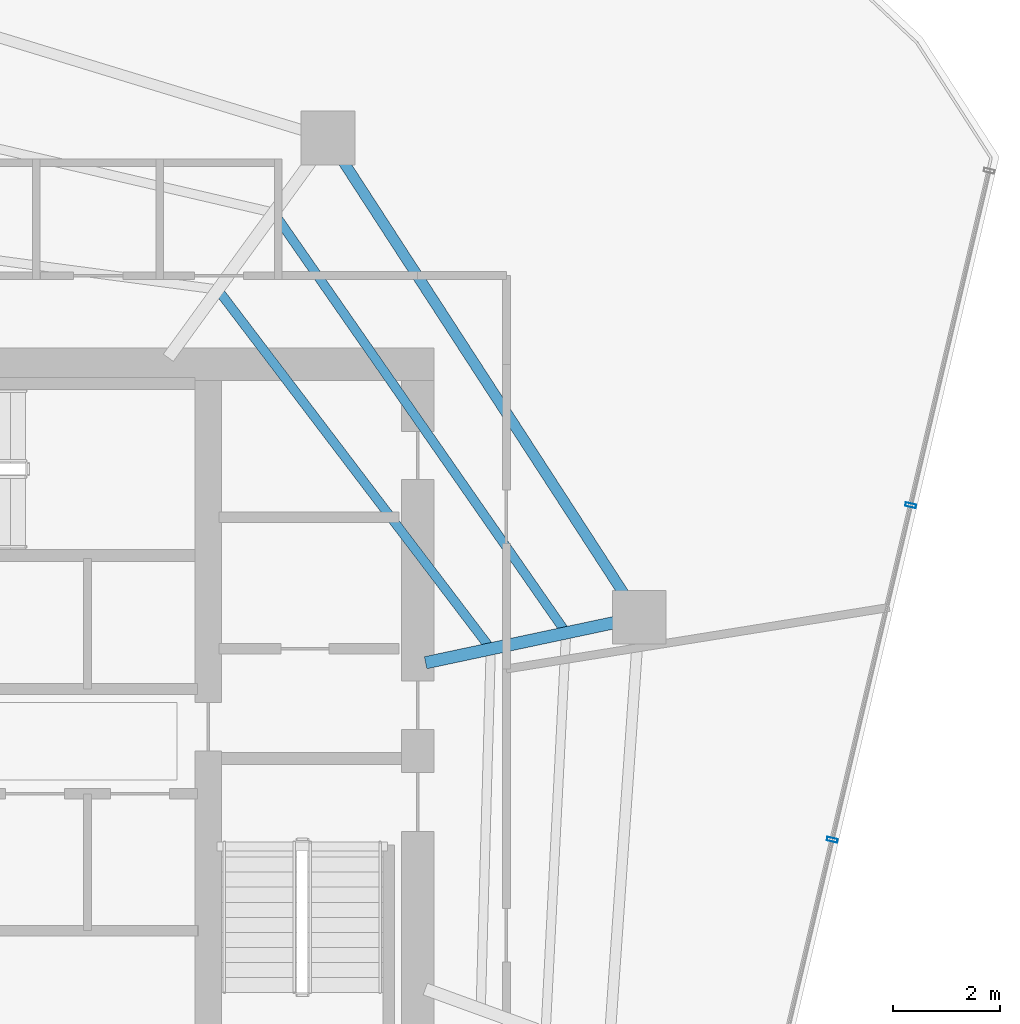
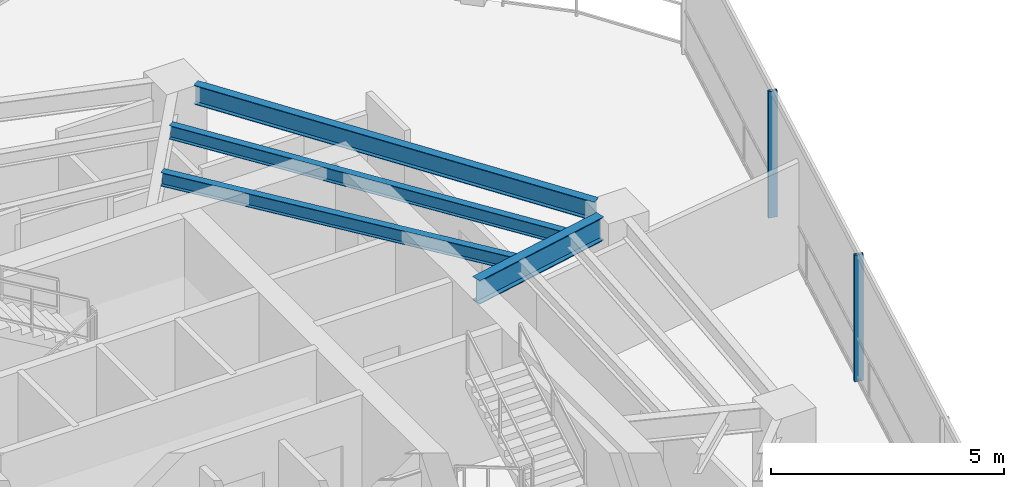
# One storey, part 10 of 19: 4 beams, 2 members, 1 element without a shape of its own.
"""IFC4 building model written with IfcOpenShell, lengths in metres."""

from ifc_helpers import new_model, si_unit, direction, frame, origin, origin_2d, place, context, subcontext, project, spatial, hollow_rectangle, i_section, extrude, material, layer, layer_set, material_profile, profile_set, type_object, element, aggregate, save


model = new_model("IFC4")

# Units and contexts
model_context = context("Model", 3, precision=1e-05, world=origin(), true_north=direction((0.0, 1.0)))
body_context = subcontext(model_context, "Body", "Model", "MODEL_VIEW")
ifc_project = project(units=[si_unit("LENGTHUNIT", "METRE"), si_unit("AREAUNIT", "SQUARE_METRE"), si_unit("VOLUMEUNIT", "CUBIC_METRE"), si_unit("PLANEANGLEUNIT", "RADIAN"), si_unit("MASSUNIT", "GRAM", prefix="KILO")], contexts=[model_context])

# Site, building, storey
site_placement = place(None, origin())
site = spatial("IfcSite", under=ifc_project, at=site_placement, CompositionType="ELEMENT")
building_placement = place(site_placement, origin())
building = spatial("IfcBuilding", under=site, at=building_placement, Name="Qarnah Convention Tower", CompositionType="ELEMENT")
storey_placement = place(building_placement, frame((0.0, 0.0, 129.300048828125)))
storey = spatial("IfcBuildingStorey", under=building, at=storey_placement, Name="L34", CompositionType="ELEMENT", Elevation=129.300048828125)

# Beams
ifc_material_1 = material(Name="Structural steel S355JR", Category="steel")
ifc_material_profile_1 = material_profile(ifc_material_1, i_section(OverallWidth=0.172119140625, OverallDepth=0.35595703125, WebThickness=0.007080078125, FlangeThickness=0.011962890625, at=origin_2d()), Name="W360X51")
ifc_profile_set_1 = profile_set([ifc_material_profile_1], Name="Structural steel S355JR")
beam_type_1 = type_object("IfcBeamType", Name="BM-JST-W360", PredefinedType="JOIST", material=ifc_profile_set_1)
beam_1_placement = place(storey_placement, frame((50.31298828125, 29.27197265625, 3.141845703125), z_axis=(-0.571244196533, 0.820780158098, 0.0), x_axis=(-0.820780158098, -0.571244196533, 0.0)))
element("IfcBeam", 1, at=beam_1_placement, inside=storey, type_object=beam_type_1, Name="L34 joist BM-L34-SJST-01", PredefinedType="JOIST", context=body_context, shape_type="SweptSolid", body=[
    extrude(i_section(OverallWidth=0.172119140625, OverallDepth=0.35595703125, WebThickness=0.007080078125, FlangeThickness=0.011962890625, at=origin_2d()), origin(), (0.0, 0.0, 1.0), 9.353271484375),
])
beam_2_placement = place(storey_placement, frame((48.906982421875, 28.970947265625, 3.141845703125), z_axis=(-0.605046386024, 0.796190222723, 0.0), x_axis=(-0.796190222723, -0.605046386024, 0.0)))
element("IfcBeam", 2, at=beam_2_placement, inside=storey, type_object=beam_type_1, Name="L34 joist BM-L34-IJST-01", PredefinedType="JOIST", context=body_context, shape_type="SweptSolid", body=[
    extrude(i_section(OverallWidth=0.172119140625, OverallDepth=0.35595703125, WebThickness=0.007080078125, FlangeThickness=0.011962890625, at=origin_2d()), origin(), (0.0, 0.0, 1.0), 8.224365234375),
])
ifc_material_profile_2 = material_profile(ifc_material_1, i_section(OverallWidth=0.22998046875, OverallDepth=0.617919921875, WebThickness=0.012939453125, FlangeThickness=0.02197265625, at=origin_2d()), Name="W610X140")
ifc_profile_set_2 = profile_set([ifc_material_profile_2], Name="Structural steel S355JR")
beam_type_2 = type_object("IfcBeamType", Name="BM-RAD-W610A", PredefinedType="BEAM", material=ifc_profile_set_2)
beam_3_placement = place(storey_placement, frame((47.7470703125, 28.64111328125, 3.010986328125), z_axis=(0.978133929389, 0.207975999045, 0.0), x_axis=(-0.207975999045, 0.978133929389, 0.0)))
element("IfcBeam", 3, at=beam_3_placement, inside=storey, type_object=beam_type_2, Name="L34 beam BM-L34-RAD-01", PredefinedType="BEAM", context=body_context, shape_type="SweptSolid", body=[
    extrude(i_section(OverallWidth=0.22998046875, OverallDepth=0.617919921875, WebThickness=0.012939453125, FlangeThickness=0.02197265625, at=origin_2d()), origin(), (0.0, 0.0, 1.0), 3.586181640625),
])
ifc_material_profile_3 = material_profile(ifc_material_1, i_section(OverallWidth=0.199951171875, OverallDepth=0.5, WebThickness=0.010009765625, FlangeThickness=0.01611328125, at=origin_2d()), Name="IPE500")
ifc_profile_set_3 = profile_set([ifc_material_profile_3], Name="Structural steel S355JR")
beam_type_3 = type_object("IfcBeamType", Name="BM-SPN-IPE500", PredefinedType="SPANDREL", material=ifc_profile_set_3)
beam_4_placement = place(storey_placement, frame((51.4580078125, 29.89794921875, 3.070068359375), z_axis=(-0.544531816504, 0.838740186717, 0.0), x_axis=(-0.838740186717, -0.544531816504, 0.0)))
element("IfcBeam", 4, at=beam_4_placement, inside=storey, type_object=beam_type_3, Name="L34 spandrel BM-L34-SPN-01", PredefinedType="SPANDREL", context=body_context, shape_type="SweptSolid", body=[
    extrude(i_section(OverallWidth=0.199951171875, OverallDepth=0.5, WebThickness=0.010009765625, FlangeThickness=0.01611328125, at=origin_2d()), origin(), (0.0, 0.0, 1.0), 9.663330078125),
])

# Curtain wall, members
ifc_material_2 = material(Name="Tempered Low-E dark glass", Category="glass")
ifc_layer = layer(ifc_material_2, 0.172119140625)
ifc_layer_set = layer_set([ifc_layer], Name="Tempered Low-E dark glass")
curtain_wall_type = type_object("IfcCurtainWallType", Name="CWS-03", PredefinedType="NOTDEFINED", material=ifc_layer_set)
curtain_wall_placement = place(storey_placement, origin())
curtain_wall = element("IfcCurtainWall", 5, at=curtain_wall_placement, inside=storey, type_object=curtain_wall_type, Name="L34 unitised curtain wall CW-L34-F3", PredefinedType="NOTDEFINED")
ifc_material_3 = material(Name="Black anodised aluminium", Category="aluminium")
ifc_material_profile_4 = material_profile(ifc_material_3, hollow_rectangle(XDim=0.070068359375, YDim=0.199951171875, WallThickness=0.0048828125, at=origin_2d()), Name="MUL-70X200")
ifc_profile_set_4 = profile_set([ifc_material_profile_4], Name="Black anodised aluminium")
member_type = type_object("IfcMemberType", Name="MUL-T3", PredefinedType="MULLION", material=ifc_profile_set_4)
member_1_placement = place(storey_placement, frame((56.781982421875, 31.57275390625, 0.0), z_axis=(0.0, 0.0, 1.0), x_axis=(-0.228344107227, -0.973580489069, 0.0)))
member_1 = element("IfcMember", 6, at=member_1_placement, type_object=member_type, Name="CW-L34-F3 mullion 2", PredefinedType="MULLION", context=body_context, shape_type="SweptSolid", body=[
    extrude(hollow_rectangle(XDim=0.070068359375, YDim=0.199951171875, WallThickness=0.0048828125, at=origin_2d()), origin(), (0.0, 0.0, 1.0), 3.320068359375),
])
member_2_placement = place(storey_placement, frame((55.321044921875, 25.343505859375, 0.0), z_axis=(0.0, 0.0, 1.0), x_axis=(-0.228344107227, -0.973580489069, 0.0)))
member_2 = element("IfcMember", 7, at=member_2_placement, type_object=member_type, Name="CW-L34-F3 mullion 3", PredefinedType="MULLION", context=body_context, shape_type="SweptSolid", body=[
    extrude(hollow_rectangle(XDim=0.070068359375, YDim=0.199951171875, WallThickness=0.0048828125, at=origin_2d()), origin(), (0.0, 0.0, 1.0), 3.320068359375),
])
aggregate(curtain_wall, [member_1, member_2])

save(model, "model.ifc")
